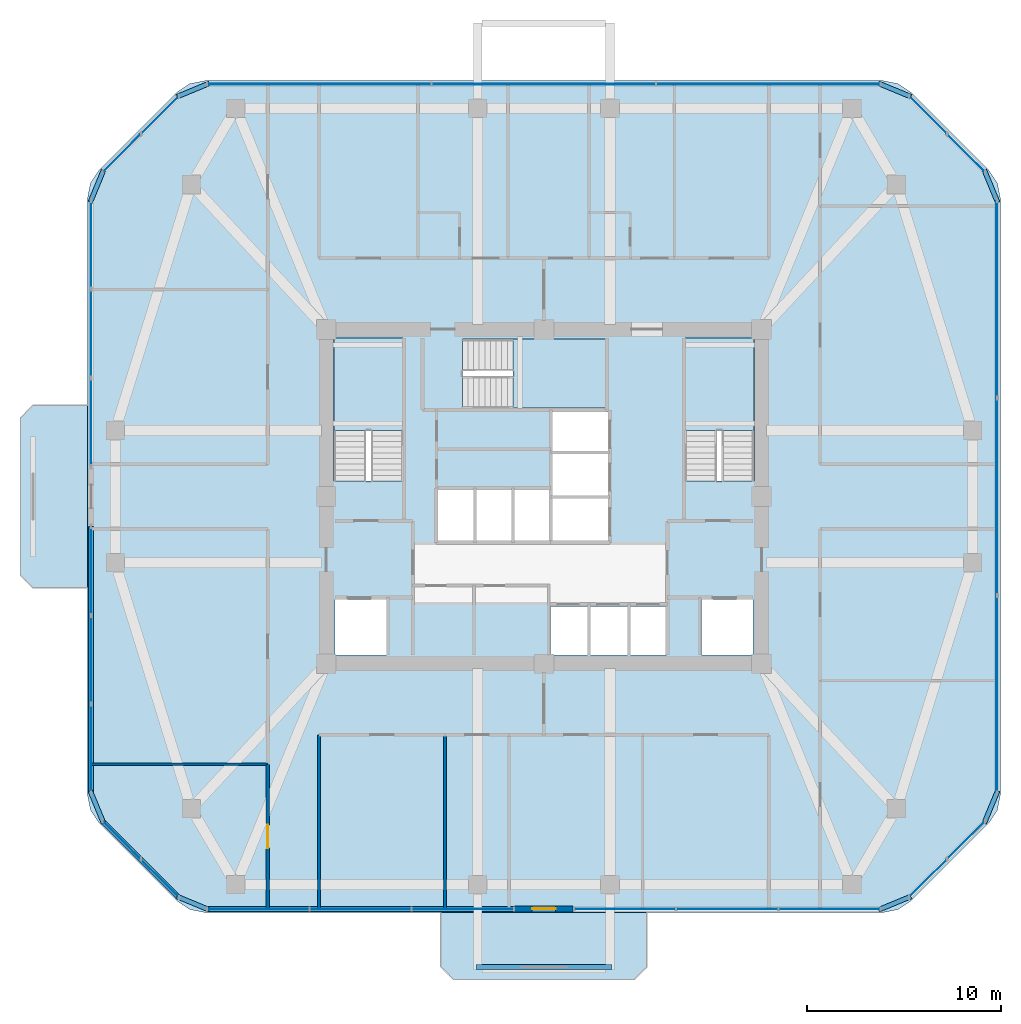
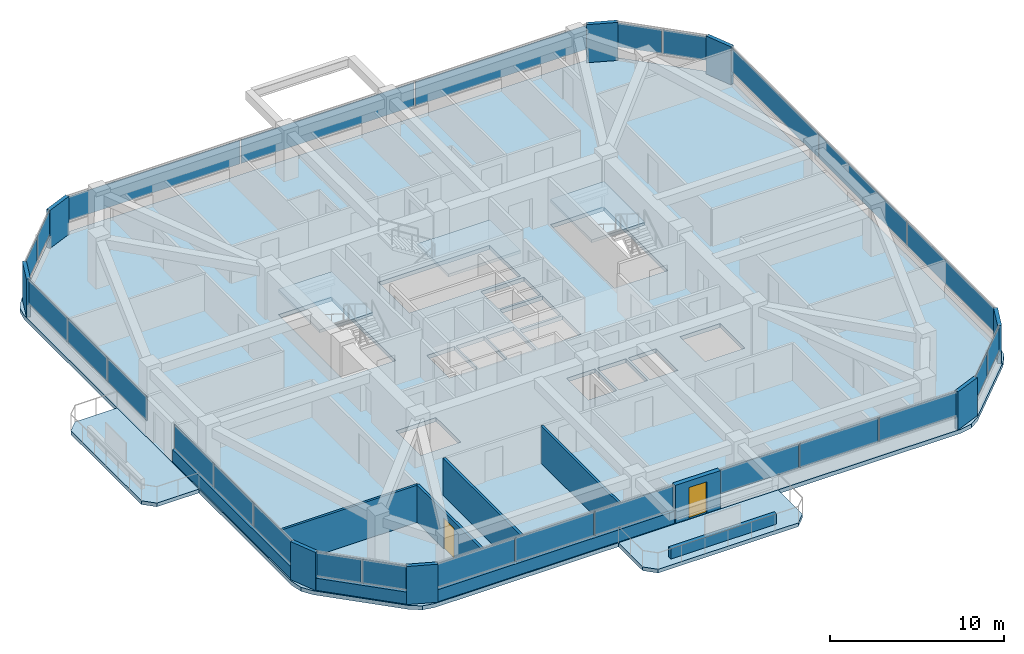
# One storey, part 6 of 12: 34 plates, 9 walls, 6 slabs, 2 doors, 2 openings, 13 elements without a shape of their own.
"""IFC4 building model written with IfcOpenShell, lengths in metres."""

from ifc_helpers import new_model, si_unit, derived_unit, direction, frame, frame_2d, origin, origin_2d, place, context, subcontext, project, spatial, polyline, rectangle, outline, extrude, material, layer, layer_set, type_object, element, fill, aggregate, save


model = new_model("IFC4")

# Units and contexts
model_context = context("Model", 3, precision=1e-05, world=origin(), true_north=direction((0.0, 1.0)))
body_context = subcontext(model_context, "Body", "Model", "MODEL_VIEW")
ifc_project = project(units=[si_unit("LENGTHUNIT", "METRE"), si_unit("AREAUNIT", "SQUARE_METRE"), si_unit("VOLUMEUNIT", "CUBIC_METRE"), si_unit("PLANEANGLEUNIT", "RADIAN"), si_unit("MASSUNIT", "GRAM", prefix="KILO"), derived_unit("THERMALTRANSMITTANCEUNIT", [(si_unit("POWERUNIT", "WATT"), 1), (si_unit("LENGTHUNIT", "METRE"), -2), (si_unit("THERMODYNAMICTEMPERATUREUNIT", "KELVIN"), -1)])], contexts=[model_context])

# Site, building, storey
site_placement = place(None, origin())
site = spatial("IfcSite", under=ifc_project, at=site_placement, CompositionType="ELEMENT")
building_placement = place(site_placement, origin())
building = spatial("IfcBuilding", under=site, at=building_placement, Name="Koralith Skygarden Medical Center", CompositionType="ELEMENT")
storey_placement = place(building_placement, frame((0.0, 0.0, 134.820068359375)))
storey = spatial("IfcBuildingStorey", under=building, at=storey_placement, Name="L34", CompositionType="ELEMENT", Elevation=134.820068359375)

# Curtain wall, plates
ifc_material_1 = material(Name="Clear Laminated Glass", Category="glass")
curtain_wall_type = type_object("IfcCurtainWallType", Name="CW-4 Zone 3 Waist High-Wind Curtain Wall", PredefinedType="NOTDEFINED", material=ifc_material_1)
curtain_wall_1_placement = place(storey_placement, origin())
curtain_wall_1 = element("IfcCurtainWall", 1, at=curtain_wall_1_placement, inside=storey, type_object=curtain_wall_type, Name="Curtain Wall CW-L34-S-L", PredefinedType="NOTDEFINED")
ifc_layer_1 = layer(ifc_material_1, 0.035888671875)
ifc_layer_set_1 = layer_set([ifc_layer_1], Name="Clear Laminated Glass")
plate_type_1 = type_object("IfcPlateType", Name="CW-4 Hurricane Laminated IGU Panel 36", PredefinedType="CURTAIN_PANEL", material=ifc_layer_set_1)
plate_1_placement = place(storey_placement, frame((22.302001953125, 4.679931640625, 0.919921875), z_axis=(0.0, 0.0, 1.0), x_axis=(1.0, 0.0, 0.0)))
plate_1 = element("IfcPlate", 2, at=plate_1_placement, type_object=plate_type_1, Name="CW-L34-S-L Glazed Panel 1", PredefinedType="CURTAIN_PANEL", context=body_context, shape_type="SweptSolid", body=[
    extrude(rectangle(XDim=5.173095703125, YDim=0.035888671875, at=origin_2d()), origin(), (0.0, 0.0, 1.0), 1.679931640625),
])
plate_2_placement = place(storey_placement, frame((27.56494140625, 4.679931640625, 0.919921875), z_axis=(0.0, 0.0, 1.0), x_axis=(1.0, 0.0, 0.0)))
plate_2 = element("IfcPlate", 3, at=plate_2_placement, type_object=plate_type_1, Name="CW-L34-S-L Glazed Panel 2", PredefinedType="CURTAIN_PANEL", context=body_context, shape_type="SweptSolid", body=[
    extrude(rectangle(XDim=5.173095703125, YDim=0.035888671875, at=origin_2d()), origin(), (0.0, 0.0, 1.0), 1.679931640625),
])
plate_3_placement = place(storey_placement, frame((32.827880859375, 4.679931640625, 0.919921875), z_axis=(0.0, 0.0, 1.0), x_axis=(1.0, 0.0, 0.0)))
plate_3 = element("IfcPlate", 4, at=plate_3_placement, type_object=plate_type_1, Name="CW-L34-S-L Glazed Panel 3", PredefinedType="CURTAIN_PANEL", context=body_context, shape_type="SweptSolid", body=[
    extrude(rectangle(XDim=5.173095703125, YDim=0.035888671875, at=origin_2d()), origin(), (0.0, 0.0, 1.0), 1.679931640625),
])
aggregate(curtain_wall_1, [plate_1, plate_2, plate_3])

curtain_wall_2_placement = place(storey_placement, origin())
curtain_wall_2 = element("IfcCurtainWall", 5, at=curtain_wall_2_placement, inside=storey, type_object=curtain_wall_type, Name="Curtain Wall CW-L34-S-R", PredefinedType="NOTDEFINED")
plate_4_placement = place(storey_placement, frame((41.1708984375, 4.679931640625, 0.919921875), z_axis=(0.0, 0.0, 1.0), x_axis=(1.0, 0.0, 0.0)))
plate_4 = element("IfcPlate", 6, at=plate_4_placement, type_object=plate_type_1, Name="CW-L34-S-R Glazed Panel 1", PredefinedType="CURTAIN_PANEL", context=body_context, shape_type="SweptSolid", body=[
    extrude(rectangle(XDim=5.173095703125, YDim=0.035888671875, at=origin_2d()), origin(), (0.0, 0.0, 1.0), 1.679931640625),
])
plate_5_placement = place(storey_placement, frame((46.43408203125, 4.679931640625, 0.919921875), z_axis=(0.0, 0.0, 1.0), x_axis=(1.0, 0.0, 0.0)))
plate_5 = element("IfcPlate", 7, at=plate_5_placement, type_object=plate_type_1, Name="CW-L34-S-R Glazed Panel 2", PredefinedType="CURTAIN_PANEL", context=body_context, shape_type="SweptSolid", body=[
    extrude(rectangle(XDim=5.173095703125, YDim=0.035888671875, at=origin_2d()), origin(), (0.0, 0.0, 1.0), 1.679931640625),
])
plate_6_placement = place(storey_placement, frame((51.697021484375, 4.679931640625, 0.919921875), z_axis=(0.0, 0.0, 1.0), x_axis=(1.0, 0.0, 0.0)))
plate_6 = element("IfcPlate", 8, at=plate_6_placement, type_object=plate_type_1, Name="CW-L34-S-R Glazed Panel 3", PredefinedType="CURTAIN_PANEL", context=body_context, shape_type="SweptSolid", body=[
    extrude(rectangle(XDim=5.173095703125, YDim=0.035888671875, at=origin_2d()), origin(), (0.0, 0.0, 1.0), 1.679931640625),
])
aggregate(curtain_wall_2, [plate_4, plate_5, plate_6])

curtain_wall_3_placement = place(storey_placement, origin())
curtain_wall_3 = element("IfcCurtainWall", 9, at=curtain_wall_3_placement, inside=storey, type_object=curtain_wall_type, Name="Curtain Wall CW-L34-SE", PredefinedType="NOTDEFINED")
plate_7_placement = place(storey_placement, frame((56.760986328125, 6.261962890625, 0.919921875), z_axis=(0.0, 0.0, 1.0), x_axis=(0.707106781187, 0.707106781187, 0.0)))
plate_7 = element("IfcPlate", 10, at=plate_7_placement, type_object=plate_type_1, Name="CW-L34-SE Glazed Panel 1", PredefinedType="CURTAIN_PANEL", context=body_context, shape_type="SweptSolid", body=[
    extrude(rectangle(XDim=2.68408203125, YDim=0.035888671875, at=origin_2d()), origin(), (0.0, 0.0, 1.0), 1.679931640625),
])
plate_8_placement = place(storey_placement, frame((58.721923828125, 8.222900390625, 0.919921875), z_axis=(0.0, 0.0, 1.0), x_axis=(0.707106781187, 0.707106781187, 0.0)))
plate_8 = element("IfcPlate", 11, at=plate_8_placement, type_object=plate_type_1, Name="CW-L34-SE Glazed Panel 2", PredefinedType="CURTAIN_PANEL", context=body_context, shape_type="SweptSolid", body=[
    extrude(rectangle(XDim=2.68408203125, YDim=0.035888671875, at=origin_2d()), origin(), (0.0, 0.0, 1.0), 1.679931640625),
])
aggregate(curtain_wall_3, [plate_7, plate_8])

curtain_wall_4_placement = place(storey_placement, origin())
curtain_wall_4 = element("IfcCurtainWall", 12, at=curtain_wall_4_placement, inside=storey, type_object=curtain_wall_type, Name="Curtain Wall CW-L34-E", PredefinedType="NOTDEFINED")
plate_9_placement = place(storey_placement, frame((60.303955078125, 15.737060546875, 0.919921875), z_axis=(0.0, 0.0, 1.0), x_axis=(0.0, 1.0, 0.0)))
plate_9 = element("IfcPlate", 13, at=plate_9_placement, type_object=plate_type_1, Name="CW-L34-E Glazed Panel 1", PredefinedType="CURTAIN_PANEL", context=body_context, shape_type="SweptSolid", body=[
    extrude(rectangle(XDim=10.072998046875, YDim=0.035888671875, at=origin_2d()), origin(), (0.0, 0.0, 1.0), 1.679931640625),
])
plate_10_placement = place(storey_placement, frame((60.303955078125, 25.89990234375, 0.919921875), z_axis=(0.0, 0.0, 1.0), x_axis=(0.0, 1.0, 0.0)))
plate_10 = element("IfcPlate", 14, at=plate_10_placement, type_object=plate_type_1, Name="CW-L34-E Glazed Panel 2", PredefinedType="CURTAIN_PANEL", context=body_context, shape_type="SweptSolid", body=[
    extrude(rectangle(XDim=10.072998046875, YDim=0.035888671875, at=origin_2d()), origin(), (0.0, 0.0, 1.0), 1.679931640625),
])
plate_11_placement = place(storey_placement, frame((60.303955078125, 36.06298828125, 0.919921875), z_axis=(0.0, 0.0, 1.0), x_axis=(0.0, 1.0, 0.0)))
plate_11 = element("IfcPlate", 15, at=plate_11_placement, type_object=plate_type_1, Name="CW-L34-E Glazed Panel 3", PredefinedType="CURTAIN_PANEL", context=body_context, shape_type="SweptSolid", body=[
    extrude(rectangle(XDim=10.072998046875, YDim=0.035888671875, at=origin_2d()), origin(), (0.0, 0.0, 1.0), 1.679931640625),
])
aggregate(curtain_wall_4, [plate_9, plate_10, plate_11])

curtain_wall_5_placement = place(storey_placement, origin())
curtain_wall_5 = element("IfcCurtainWall", 16, at=curtain_wall_5_placement, inside=storey, type_object=curtain_wall_type, Name="Curtain Wall CW-L34-NE", PredefinedType="NOTDEFINED")
plate_12_placement = place(storey_placement, frame((58.721923828125, 43.576904296875, 0.919921875), z_axis=(0.0, 0.0, 1.0), x_axis=(-0.707106781187, 0.707106781187, 0.0)))
plate_12 = element("IfcPlate", 17, at=plate_12_placement, type_object=plate_type_1, Name="CW-L34-NE Glazed Panel 1", PredefinedType="CURTAIN_PANEL", context=body_context, shape_type="SweptSolid", body=[
    extrude(rectangle(XDim=2.68408203125, YDim=0.035888671875, at=origin_2d()), origin(), (0.0, 0.0, 1.0), 1.679931640625),
])
plate_13_placement = place(storey_placement, frame((56.760986328125, 45.5380859375, 0.919921875), z_axis=(0.0, 0.0, 1.0), x_axis=(-0.707106781187, 0.707106781187, 0.0)))
plate_13 = element("IfcPlate", 18, at=plate_13_placement, type_object=plate_type_1, Name="CW-L34-NE Glazed Panel 2", PredefinedType="CURTAIN_PANEL", context=body_context, shape_type="SweptSolid", body=[
    extrude(rectangle(XDim=2.68408203125, YDim=0.035888671875, at=origin_2d()), origin(), (0.0, 0.0, 1.0), 1.679931640625),
])
aggregate(curtain_wall_5, [plate_12, plate_13])

curtain_wall_6_placement = place(storey_placement, origin())
curtain_wall_6 = element("IfcCurtainWall", 19, at=curtain_wall_6_placement, inside=storey, type_object=curtain_wall_type, Name="Curtain Wall CW-L34-N", PredefinedType="NOTDEFINED")
plate_14_placement = place(storey_placement, frame((48.552978515625, 47.1201171875, 0.919921875), z_axis=(0.0, 0.0, 1.0), x_axis=(-1.0, 0.0, 0.0)))
plate_14 = element("IfcPlate", 20, at=plate_14_placement, type_object=plate_type_1, Name="CW-L34-N Glazed Panel 1", PredefinedType="CURTAIN_PANEL", context=body_context, shape_type="SweptSolid", body=[
    extrude(rectangle(XDim=11.462890625, YDim=0.035888671875, at=origin_2d()), origin(), (0.0, 0.0, 1.0), 1.679931640625),
])
plate_15_placement = place(storey_placement, frame((37.0, 47.1201171875, 0.919921875), z_axis=(0.0, 0.0, 1.0), x_axis=(-1.0, 0.0, 0.0)))
plate_15 = element("IfcPlate", 21, at=plate_15_placement, type_object=plate_type_1, Name="CW-L34-N Glazed Panel 2", PredefinedType="CURTAIN_PANEL", context=body_context, shape_type="SweptSolid", body=[
    extrude(rectangle(XDim=11.462890625, YDim=0.035888671875, at=origin_2d()), origin(), (0.0, 0.0, 1.0), 1.679931640625),
])
plate_16_placement = place(storey_placement, frame((25.447021484375, 47.1201171875, 0.919921875), z_axis=(0.0, 0.0, 1.0), x_axis=(-1.0, 0.0, 0.0)))
plate_16 = element("IfcPlate", 22, at=plate_16_placement, type_object=plate_type_1, Name="CW-L34-N Glazed Panel 3", PredefinedType="CURTAIN_PANEL", context=body_context, shape_type="SweptSolid", body=[
    extrude(rectangle(XDim=11.462890625, YDim=0.035888671875, at=origin_2d()), origin(), (0.0, 0.0, 1.0), 1.679931640625),
])
aggregate(curtain_wall_6, [plate_14, plate_15, plate_16])

curtain_wall_7_placement = place(storey_placement, origin())
curtain_wall_7 = element("IfcCurtainWall", 23, at=curtain_wall_7_placement, inside=storey, type_object=curtain_wall_type, Name="Curtain Wall CW-L34-NW", PredefinedType="NOTDEFINED")
plate_17_placement = place(storey_placement, frame((17.239013671875, 45.5380859375, 0.919921875), z_axis=(0.0, 0.0, 1.0), x_axis=(-0.707106781187, -0.707106781187, 0.0)))
plate_17 = element("IfcPlate", 24, at=plate_17_placement, type_object=plate_type_1, Name="CW-L34-NW Glazed Panel 1", PredefinedType="CURTAIN_PANEL", context=body_context, shape_type="SweptSolid", body=[
    extrude(rectangle(XDim=2.68408203125, YDim=0.035888671875, at=origin_2d()), origin(), (0.0, 0.0, 1.0), 1.679931640625),
])
plate_18_placement = place(storey_placement, frame((15.278076171875, 43.576904296875, 0.919921875), z_axis=(0.0, 0.0, 1.0), x_axis=(-0.707106781187, -0.707106781187, 0.0)))
plate_18 = element("IfcPlate", 25, at=plate_18_placement, type_object=plate_type_1, Name="CW-L34-NW Glazed Panel 2", PredefinedType="CURTAIN_PANEL", context=body_context, shape_type="SweptSolid", body=[
    extrude(rectangle(XDim=2.68408203125, YDim=0.035888671875, at=origin_2d()), origin(), (0.0, 0.0, 1.0), 1.679931640625),
])
aggregate(curtain_wall_7, [plate_17, plate_18])

curtain_wall_8_placement = place(storey_placement, origin())
curtain_wall_8 = element("IfcCurtainWall", 26, at=curtain_wall_8_placement, inside=storey, type_object=curtain_wall_type, Name="Curtain Wall CW-L34-W-L", PredefinedType="NOTDEFINED")
plate_19_placement = place(storey_placement, frame((13.696044921875, 38.861083984375, 0.919921875), z_axis=(0.0, 0.0, 1.0), x_axis=(0.0, -1.0, 0.0)))
plate_19 = element("IfcPlate", 27, at=plate_19_placement, type_object=plate_type_1, Name="CW-L34-W-L Glazed Panel 1", PredefinedType="CURTAIN_PANEL", context=body_context, shape_type="SweptSolid", body=[
    extrude(rectangle(XDim=4.47802734375, YDim=0.035888671875, at=origin_2d()), origin(), (0.0, 0.0, 1.0), 1.679931640625),
])
plate_20_placement = place(storey_placement, frame((13.696044921875, 34.29296875, 0.919921875), z_axis=(0.0, 0.0, 1.0), x_axis=(0.0, -1.0, 0.0)))
plate_20 = element("IfcPlate", 28, at=plate_20_placement, type_object=plate_type_1, Name="CW-L34-W-L Glazed Panel 2", PredefinedType="CURTAIN_PANEL", context=body_context, shape_type="SweptSolid", body=[
    extrude(rectangle(XDim=4.47802734375, YDim=0.035888671875, at=origin_2d()), origin(), (0.0, 0.0, 1.0), 1.679931640625),
])
plate_21_placement = place(storey_placement, frame((13.696044921875, 29.72412109375, 0.919921875), z_axis=(0.0, 0.0, 1.0), x_axis=(0.0, -1.0, 0.0)))
plate_21 = element("IfcPlate", 29, at=plate_21_placement, type_object=plate_type_1, Name="CW-L34-W-L Glazed Panel 3", PredefinedType="CURTAIN_PANEL", context=body_context, shape_type="SweptSolid", body=[
    extrude(rectangle(XDim=4.47802734375, YDim=0.035888671875, at=origin_2d()), origin(), (0.0, 0.0, 1.0), 1.679931640625),
])
aggregate(curtain_wall_8, [plate_19, plate_20, plate_21])

curtain_wall_9_placement = place(storey_placement, origin())
curtain_wall_9 = element("IfcCurtainWall", 30, at=curtain_wall_9_placement, inside=storey, type_object=curtain_wall_type, Name="Curtain Wall CW-L34-W-R", PredefinedType="NOTDEFINED")
plate_22_placement = place(storey_placement, frame((13.696044921875, 22.075927734375, 0.919921875), z_axis=(0.0, 0.0, 1.0), x_axis=(0.0, -1.0, 0.0)))
plate_22 = element("IfcPlate", 31, at=plate_22_placement, type_object=plate_type_1, Name="CW-L34-W-R Glazed Panel 1", PredefinedType="CURTAIN_PANEL", context=body_context, shape_type="SweptSolid", body=[
    extrude(rectangle(XDim=4.47802734375, YDim=0.035888671875, at=origin_2d()), origin(), (0.0, 0.0, 1.0), 1.679931640625),
])
plate_23_placement = place(storey_placement, frame((13.696044921875, 17.508056640625, 0.919921875), z_axis=(0.0, 0.0, 1.0), x_axis=(0.0, -1.0, 0.0)))
plate_23 = element("IfcPlate", 32, at=plate_23_placement, type_object=plate_type_1, Name="CW-L34-W-R Glazed Panel 2", PredefinedType="CURTAIN_PANEL", context=body_context, shape_type="SweptSolid", body=[
    extrude(rectangle(XDim=4.47802734375, YDim=0.035888671875, at=origin_2d()), origin(), (0.0, 0.0, 1.0), 1.679931640625),
])
plate_24_placement = place(storey_placement, frame((13.696044921875, 12.93896484375, 0.919921875), z_axis=(0.0, 0.0, 1.0), x_axis=(0.0, -1.0, 0.0)))
plate_24 = element("IfcPlate", 33, at=plate_24_placement, type_object=plate_type_1, Name="CW-L34-W-R Glazed Panel 3", PredefinedType="CURTAIN_PANEL", context=body_context, shape_type="SweptSolid", body=[
    extrude(rectangle(XDim=4.47802734375, YDim=0.035888671875, at=origin_2d()), origin(), (0.0, 0.0, 1.0), 1.679931640625),
])
aggregate(curtain_wall_9, [plate_22, plate_23, plate_24])

curtain_wall_10_placement = place(storey_placement, origin())
curtain_wall_10 = element("IfcCurtainWall", 34, at=curtain_wall_10_placement, inside=storey, type_object=curtain_wall_type, Name="Curtain Wall CW-L34-SW", PredefinedType="NOTDEFINED")
plate_25_placement = place(storey_placement, frame((15.278076171875, 8.222900390625, 0.919921875), z_axis=(0.0, 0.0, 1.0), x_axis=(0.707106781187, -0.707106781187, 0.0)))
plate_25 = element("IfcPlate", 35, at=plate_25_placement, type_object=plate_type_1, Name="CW-L34-SW Glazed Panel 1", PredefinedType="CURTAIN_PANEL", context=body_context, shape_type="SweptSolid", body=[
    extrude(rectangle(XDim=2.68408203125, YDim=0.035888671875, at=origin_2d()), origin(), (0.0, 0.0, 1.0), 1.679931640625),
])
plate_26_placement = place(storey_placement, frame((17.239013671875, 6.261962890625, 0.919921875), z_axis=(0.0, 0.0, 1.0), x_axis=(0.707106781187, -0.707106781187, 0.0)))
plate_26 = element("IfcPlate", 36, at=plate_26_placement, type_object=plate_type_1, Name="CW-L34-SW Glazed Panel 2", PredefinedType="CURTAIN_PANEL", context=body_context, shape_type="SweptSolid", body=[
    extrude(rectangle(XDim=2.68408203125, YDim=0.035888671875, at=origin_2d()), origin(), (0.0, 0.0, 1.0), 1.679931640625),
])
aggregate(curtain_wall_10, [plate_25, plate_26])

# Slabs
ifc_material_2 = material(Name="Concrete C45/55", Category="concrete")
ifc_layer_2 = layer(ifc_material_2, 0.260009765625)
ifc_layer_set_2 = layer_set([ifc_layer_2], Name="Concrete C45/55")
slab_type_1 = type_object("IfcSlabType", Name="Cantilevered Planted Balcony Slab 260", PredefinedType="FLOOR", material=ifc_layer_set_2)
slab_1_placement = place(storey_placement, frame((0.0, 0.0, -0.260009765625)))
element("IfcSlab", 37, at=slab_1_placement, inside=storey, type_object=slab_type_1, Name="L34 S Planted Sky-Garden Balcony Slab", PredefinedType="FLOOR", context=body_context, shape_type="SweptSolid", body=[
    extrude(outline(polyline([(32.35009765625, 1.050048828125), (41.64990234375, 1.050048828125), (42.300048828125, 1.699951171875), (42.300048828125, 4.5), (31.699951171875, 4.5), (31.699951171875, 1.699951171875), (32.35009765625, 1.050048828125)])), origin(), (0.0, 0.0, 1.0), 0.260009765625),
])
slab_2_placement = place(storey_placement, frame((0.0, 0.0, -0.260009765625)))
element("IfcSlab", 38, at=slab_2_placement, inside=storey, type_object=slab_type_1, Name="L34 W Planted Sky-Garden Balcony Slab", PredefinedType="FLOOR", context=body_context, shape_type="SweptSolid", body=[
    extrude(outline(polyline([(10.716064453125, 21.199951171875), (13.51611328125, 21.199951171875), (13.51611328125, 30.60009765625), (10.716064453125, 30.60009765625), (10.06591796875, 29.949951171875), (10.06591796875, 21.85009765625), (10.716064453125, 21.199951171875)])), origin(), (0.0, 0.0, 1.0), 0.260009765625),
])

# Stair, slab
stair_type = type_object("IfcStairType", Name="Core Exit Dogleg Concrete Stair", PredefinedType="HALF_TURN_STAIR", material=ifc_material_2)
stair_1_placement = place(storey_placement, origin())
stair_1 = element("IfcStair", 39, at=stair_1_placement, inside=storey, type_object=stair_type, Name="L34 Smokeproof Exit Stair ST1", PredefinedType="HALF_TURN_STAIR")
ifc_layer_3 = layer(ifc_material_2, 0.199951171875)
ifc_layer_set_3 = layer_set([ifc_layer_3], Name="Concrete C45/55")
slab_type_2 = type_object("IfcSlabType", Name="Core Exit Concrete Stair Landing 200", PredefinedType="LANDING", material=ifc_layer_set_3)
slab_3_placement = place(storey_placement, frame((0.0, 0.0, 1.599853515625)))
slab_3 = element("IfcSlab", 40, at=slab_3_placement, type_object=slab_type_2, Name="ST1 landing 1", PredefinedType="LANDING", context=body_context, shape_type="SweptSolid", body=[
    extrude(outline(polyline([(29.75, 29.31005859375), (29.75, 34.050048828125), (26.199951171875, 34.050048828125), (26.199951171875, 29.31005859375), (29.75, 29.31005859375)])), origin(), (0.0, 0.0, 1.0), 0.2001953125),
])
aggregate(stair_1, [slab_3])

stair_2_placement = place(storey_placement, origin())
stair_2 = element("IfcStair", 41, at=stair_2_placement, inside=storey, type_object=stair_type, Name="L34 Smokeproof Exit Stair ST2", PredefinedType="HALF_TURN_STAIR")
slab_4_placement = place(storey_placement, frame((0.0, 0.0, 1.599853515625)))
slab_4 = element("IfcSlab", 42, at=slab_4_placement, type_object=slab_type_2, Name="ST2 landing 1", PredefinedType="LANDING", context=body_context, shape_type="SweptSolid", body=[
    extrude(outline(polyline([(47.800048828125, 29.31005859375), (47.800048828125, 34.050048828125), (44.25, 34.050048828125), (44.25, 29.31005859375), (47.800048828125, 29.31005859375)])), origin(), (0.0, 0.0, 1.0), 0.2001953125),
])
aggregate(stair_2, [slab_4])

stair_3_placement = place(storey_placement, origin())
stair_3 = element("IfcStair", 43, at=stair_3_placement, inside=storey, type_object=stair_type, Name="L34 Smokeproof Exit Stair ST3", PredefinedType="HALF_TURN_STAIR")
slab_5_placement = place(storey_placement, frame((0.0, 0.0, 1.599853515625)))
slab_5 = element("IfcSlab", 44, at=slab_5_placement, type_object=slab_type_2, Name="ST3 landing 1", PredefinedType="LANDING", context=body_context, shape_type="SweptSolid", body=[
    extrude(outline(polyline([(35.409912109375, 30.449951171875), (40.199951171875, 30.449951171875), (40.199951171875, 34.0), (35.409912109375, 34.0), (35.409912109375, 30.449951171875)])), origin(), (0.0, 0.0, 1.0), 0.2001953125),
])
aggregate(stair_3, [slab_5])

# Slab
ifc_layer_4 = layer(ifc_material_2, 0.280029296875)
ifc_layer_set_4 = layer_set([ifc_layer_4], Name="Concrete C45/55")
slab_type_3 = type_object("IfcSlabType", Name="Post-Tensioned Ward Floor Plate 280", PredefinedType="FLOOR", material=ifc_layer_set_4)
slab_6_placement = place(storey_placement, frame((0.0, 0.0, -0.280029296875)))
element("IfcSlab", 45, at=slab_6_placement, inside=storey, type_object=slab_type_3, Name="Level L34 Structural Floor Slab", PredefinedType="FLOOR", context=body_context, shape_type="SweptSolid", body=[
    extrude(outline(polyline([(18.1298828125, 5.0859375), (18.779052734375, 4.652099609375), (19.5439453125, 4.5), (54.4560546875, 4.5), (55.220947265625, 4.652099609375), (55.8701171875, 5.0859375), (59.89794921875, 9.114013671875), (60.33203125, 9.762939453125), (60.48388671875, 10.528076171875), (60.48388671875, 41.27197265625), (60.33203125, 42.037109375), (59.89794921875, 42.68603515625), (55.8701171875, 46.714111328125), (55.220947265625, 47.14794921875), (54.4560546875, 47.300048828125), (19.5439453125, 47.300048828125), (18.779052734375, 47.14794921875), (18.1298828125, 46.714111328125), (14.10205078125, 42.68603515625), (13.66796875, 42.037109375), (13.51611328125, 41.27197265625), (13.51611328125, 10.528076171875), (13.66796875, 9.762939453125), (14.10205078125, 9.114013671875), (18.1298828125, 5.0859375)]), holes=[polyline([(26.199951171875, 26.705078125), (29.75, 26.705078125), (29.75, 34.050048828125), (26.199951171875, 34.050048828125), (26.199951171875, 26.705078125)]), polyline([(44.25, 26.705078125), (47.800048828125, 26.705078125), (47.800048828125, 34.050048828125), (44.25, 34.050048828125), (44.25, 26.705078125)]), polyline([(32.804931640625, 30.449951171875), (40.199951171875, 30.449951171875), (40.199951171875, 34.0), (32.804931640625, 34.0), (32.804931640625, 30.449951171875)]), polyline([(26.25, 17.75), (28.89990234375, 17.75), (28.89990234375, 20.60009765625), (26.25, 20.60009765625), (26.25, 17.75)]), polyline([(45.10009765625, 17.75), (47.75, 17.75), (47.75, 20.60009765625), (45.10009765625, 20.60009765625), (45.10009765625, 17.75)]), polyline([(37.35009765625, 17.75), (39.25, 17.75), (39.25, 20.25), (37.35009765625, 20.25), (37.35009765625, 17.75)]), polyline([(39.39990234375, 17.75), (41.300048828125, 17.75), (41.300048828125, 20.25), (39.39990234375, 20.25), (39.39990234375, 17.75)]), polyline([(41.449951171875, 17.75), (43.300048828125, 17.75), (43.300048828125, 20.25), (41.449951171875, 20.25), (41.449951171875, 17.75)]), polyline([(31.550048828125, 23.64990234375), (33.39990234375, 23.64990234375), (33.39990234375, 26.25), (31.550048828125, 26.25), (31.550048828125, 23.64990234375)]), polyline([(33.5, 23.64990234375), (35.35009765625, 23.64990234375), (35.35009765625, 26.25), (33.5, 26.25), (33.5, 23.64990234375)]), polyline([(35.449951171875, 23.64990234375), (37.300048828125, 23.64990234375), (37.300048828125, 26.25), (35.449951171875, 26.25), (35.449951171875, 23.64990234375)]), polyline([(37.449951171875, 23.64990234375), (40.300048828125, 23.64990234375), (40.300048828125, 25.800048828125), (37.449951171875, 25.800048828125), (37.449951171875, 23.64990234375)]), polyline([(37.449951171875, 25.949951171875), (40.300048828125, 25.949951171875), (40.300048828125, 28.10009765625), (37.449951171875, 28.10009765625), (37.449951171875, 25.949951171875)]), polyline([(37.449951171875, 28.25), (40.300048828125, 28.25), (40.300048828125, 30.25), (37.449951171875, 30.25), (37.449951171875, 28.25)])]), origin(), (0.0, 0.0, 1.0), 0.280029296875),
])

# Plates
ifc_material_3 = material(Name="Warm Oolitic Limestone Cladding", Category="masonry")
ifc_layer_5 = layer(ifc_material_3, 0.239990234375)
ifc_layer_set_5 = layer_set([ifc_layer_5], Name="Warm Oolitic Limestone Cladding")
plate_type_2 = type_object("IfcPlateType", Name="Rounded-Corner Oolitic Limestone Cladding Panel 240", PredefinedType="USERDEFINED", material=ifc_layer_set_5)
for number, where, z_axis, x_axis, name in (
    (46, (55.054931640625, 4.97998046875, 0.0), (0.0, 0.0, 1.0), (0.92388487569, 0.382670532536, 0.0), "L34 Rounded-Corner Limestone Pier 1"),
    (47, (60.00390625, 9.929931640625, 0.0), (0.0, 0.0, 1.0), (0.382670532536, 0.92388487569, 0.0), "L34 Rounded-Corner Limestone Pier 2"),
    (48, (60.00390625, 41.8701171875, 0.0), (0.0, 0.0, 1.0), (-0.382670532536, 0.92388487569, 0.0), "L34 Rounded-Corner Limestone Pier 3"),
    (49, (55.054931640625, 46.819091796875, 0.0), (0.0, 0.0, 1.0), (-0.92388487569, 0.382670532536, 0.0), "L34 Rounded-Corner Limestone Pier 4"),
    (50, (18.945068359375, 46.819091796875, 0.0), (0.0, 0.0, 1.0), (-0.92388487569, -0.382670532536, 0.0), "L34 Rounded-Corner Limestone Pier 5"),
    (51, (13.9970703125, 41.8701171875, 0.0), (0.0, 0.0, 1.0), (-0.382670532536, -0.92388487569, 0.0), "L34 Rounded-Corner Limestone Pier 6"),
    (52, (13.9970703125, 9.929931640625, 0.0), (0.0, 0.0, 1.0), (0.382670532536, -0.92388487569, 0.0), "L34 Rounded-Corner Limestone Pier 7"),
    (53, (18.945068359375, 4.97998046875, 0.0), (0.0, 0.0, 1.0), (0.92388487569, -0.382670532536, 0.0), "L34 Rounded-Corner Limestone Pier 8"),
):
    element("IfcPlate", number, at=place(storey_placement, frame(where, z_axis=z_axis, x_axis=x_axis)), inside=storey, type_object=plate_type_2, Name=name, ObjectType="LIMESTONE CLADDING", PredefinedType="USERDEFINED", context=body_context, shape_type="SweptSolid", body=[
        extrude(rectangle(XDim=1.81103515625, YDim=0.239990234375, at=origin_2d()), origin(), (0.0, 0.0, 1.0), 2.669921875),
    ])

# Walls
ifc_material_4 = material(Name="Gypsum Board Partition")
ifc_layer_6 = layer(ifc_material_4, 0.14990234375)
ifc_layer_set_6 = layer_set([ifc_layer_6], Name="Gypsum Board Partition")
wall_type_1 = type_object("IfcWallType", Name="Clinical Acoustic Partition 150", PredefinedType="PARTITIONING", material=ifc_layer_set_6)
wall_1_placement = place(storey_placement, frame((31.9140625, 13.639892578125, 0.0), z_axis=(0.0, 0.0, 1.0), x_axis=(0.0, -1.0, 0.0)))
element("IfcWall", 54, at=wall_1_placement, inside=storey, type_object=wall_type_1, Name="L34 Clinical Acoustic Partition 150 W-PART-L34-S-01", PredefinedType="PARTITIONING", context=body_context, shape_type="SweptSolid", body=[
    extrude(rectangle(XDim=8.93994140625, YDim=0.14990234375, at=frame_2d((4.469970703125, 0.0))), origin(), (0.0, 0.0, 1.0), 2.60986328125),
])
wall_2_placement = place(storey_placement, frame((22.7900390625, 12.125, 0.0), z_axis=(0.0, 0.0, 1.0), x_axis=(-1.0, 0.0, 0.0)))
element("IfcWall", 55, at=wall_2_placement, inside=storey, type_object=wall_type_1, Name="L34 Clinical Acoustic Partition 150 W-PART-L34-WS-01", PredefinedType="PARTITIONING", context=body_context, shape_type="SweptSolid", body=[
    extrude(rectangle(XDim=9.073974609375, YDim=0.14990234375, at=frame_2d((4.537109375, 0.0))), origin(), (0.0, 0.0, 1.0), 2.60986328125),
])
ifc_layer_7 = layer(ifc_material_4, 0.1650390625)
ifc_layer_set_7 = layer_set([ifc_layer_7], Name="Gypsum Board Partition")
wall_type_2 = type_object("IfcWallType", Name="Clinical Corridor Partition 165", PredefinedType="PARTITIONING", material=ifc_layer_set_7)
wall_3_placement = place(storey_placement, frame((25.429931640625, 4.699951171875, 0.0), z_axis=(0.0, 0.0, 1.0), x_axis=(0.0, 1.0, 0.0)))
element("IfcWall", 56, at=wall_3_placement, inside=storey, type_object=wall_type_2, Name="L34 Clinical Corridor Partition 165 W-HCOR-L34-SW", PredefinedType="PARTITIONING", context=body_context, shape_type="SweptSolid", body=[
    extrude(rectangle(XDim=8.93994140625, YDim=0.1650390625, at=frame_2d((4.469970703125, 0.0))), origin(), (0.0, 0.0, 1.0), 2.60986328125),
])

# Wall, opening, door
wall_4_placement = place(storey_placement, frame((22.7900390625, 4.699951171875, 0.0), z_axis=(0.0, 0.0, 1.0), x_axis=(0.0, 1.0, 0.0)))
wall_4 = element("IfcWall", 57, at=wall_4_placement, inside=storey, type_object=wall_type_2, Name="L34 Clinical Corridor Partition 165 W-CORR-L34-WS-01", PredefinedType="PARTITIONING", context=body_context, shape_type="SweptSolid", body=[
    extrude(rectangle(XDim=7.425048828125, YDim=0.1650390625, at=frame_2d((3.71240234375, 0.0))), origin(), (0.0, 0.0, 1.0), 2.60986328125),
])
opening_1_placement = place(wall_4_placement, frame((3.112060546875, 0.0, 0.0)))
opening_1 = element("IfcOpeningElement", 58, at=opening_1_placement, cuts=wall_4, Name="Opening D-CLN", PredefinedType="OPENING", context=body_context, shape_type="SweptSolid", body=[
    extrude(rectangle(XDim=1.199951171875, YDim=2.14990234375, at=frame_2d((0.60009765625, 1.074951171875))), frame((0.0, 0.092529296875, 0.0), z_axis=(0.0, -1.0, 0.0), x_axis=(1.0, 0.0, 0.0)), (0.0, 0.0, 1.0), 0.18505859375),
])
ifc_material_5 = material(Name="Aluminium 6063-T6", Category="aluminium")
door_type_1 = type_object("IfcDoorType", Name="Clinical Corridor Door D-CLN 1200", OperationType="NOTDEFINED", PredefinedType="DOOR", material=ifc_material_5)
door_1_placement = place(opening_1_placement, frame((1.199951171875, 0.0, 0.0), z_axis=(0.0, 0.0, 1.0), x_axis=(-1.0, 0.0, 0.0)))
door_1 = element("IfcDoor", 59, at=door_1_placement, inside=storey, type_object=door_type_1, Name="L34 Acute Nurse Station 10 Door", OperationType="SINGLE_SWING_LEFT", OverallHeight=2.14990234375, OverallWidth=1.199951171875, PredefinedType="DOOR", context=body_context, shape_type="SweptSolid", body=[
    extrude(rectangle(XDim=1.199951171875, YDim=2.14990234375, at=frame_2d((0.60009765625, 1.074951171875))), frame((0.0, 0.02490234375, 0.0), z_axis=(0.0, -1.0, 0.0), x_axis=(1.0, 0.0, 0.0)), (0.0, 0.0, 1.0), 0.050048828125),
])
fill(opening_1, door_1)

# Walls
ifc_layer_8 = layer(ifc_material_3, 0.239990234375)
ifc_layer_set_8 = layer_set([ifc_layer_8], Name="Warm Oolitic Limestone Cladding")
wall_type_3 = type_object("IfcWallType", Name="Limestone Spandrel Sill Backup Wall 240", PredefinedType="SOLIDWALL", material=ifc_layer_set_8)
wall_5_placement = place(storey_placement, frame((19.6708984375, 4.679931640625, 0.0), z_axis=(0.0, 0.0, 1.0), x_axis=(1.0, 0.0, 0.0)))
element("IfcWall", 60, at=wall_5_placement, inside=storey, type_object=wall_type_3, Name="L34 Sill Spandrel S-L", PredefinedType="SOLIDWALL", context=body_context, shape_type="SweptSolid", body=[
    extrude(rectangle(XDim=15.7880859375, YDim=0.239990234375, at=frame_2d((7.89404296875, 0.0))), origin(), (0.0, 0.0, 1.0), 0.849853515625),
])
wall_6_placement = place(storey_placement, frame((13.696044921875, 24.360107421875, 0.0), z_axis=(0.0, 0.0, 1.0), x_axis=(0.0, -1.0, 0.0)))
element("IfcWall", 61, at=wall_6_placement, inside=storey, type_object=wall_type_3, Name="L34 Sill Spandrel W-R", PredefinedType="SOLIDWALL", context=body_context, shape_type="SweptSolid", body=[
    extrude(rectangle(XDim=13.705078125, YDim=0.239990234375, at=frame_2d((6.8525390625, 0.0))), origin(), (0.0, 0.0, 1.0), 0.849853515625),
])
wall_7_placement = place(storey_placement, frame((14.297119140625, 9.2041015625, 0.0), z_axis=(0.0, 0.0, 1.0), x_axis=(0.707084777957, -0.707128783731, 0.0)))
element("IfcWall", 62, at=wall_7_placement, inside=storey, type_object=wall_type_3, Name="L34 Sill Spandrel SW", PredefinedType="SOLIDWALL", context=body_context, shape_type="SweptSolid", body=[
    extrude(rectangle(XDim=5.5478515625, YDim=0.239990234375, at=frame_2d((2.77392578125, 0.0))), origin(), (0.0, 0.0, 1.0), 0.849853515625),
])

# Wall, opening, door
ifc_layer_9 = layer(ifc_material_3, 0.300048828125)
ifc_layer_set_9 = layer_set([ifc_layer_9], Name="Warm Oolitic Limestone Cladding")
wall_type_4 = type_object("IfcWallType", Name="Oolitic Limestone Insulated Facade Wall 300", PredefinedType="SOLIDWALL", material=ifc_layer_set_9)
wall_8_placement = place(storey_placement, frame((35.4990234375, 4.679931640625, 0.0), z_axis=(0.0, 0.0, 1.0), x_axis=(1.0, 0.0, 0.0)))
wall_8 = element("IfcWall", 63, at=wall_8_placement, inside=storey, type_object=wall_type_4, Name="L34 Terrace Portal Wall S", PredefinedType="SOLIDWALL", context=body_context, shape_type="SweptSolid", body=[
    extrude(rectangle(XDim=3.0, YDim=0.300048828125, at=frame_2d((1.5, 0.0))), origin(), (0.0, 0.0, 1.0), 2.669921875),
])
opening_2_placement = place(wall_8_placement, frame((0.89990234375, 0.0, 0.0)))
opening_2 = element("IfcOpeningElement", 64, at=opening_2_placement, cuts=wall_8, Name="Opening D-BAL", PredefinedType="OPENING", context=body_context, shape_type="SweptSolid", body=[
    extrude(rectangle(XDim=1.199951171875, YDim=2.199951171875, at=frame_2d((0.60009765625, 1.10009765625))), frame((0.0, 0.159912109375, 0.0), z_axis=(0.0, -1.0, 0.0), x_axis=(1.0, 0.0, 0.0)), (0.0, 0.0, 1.0), 0.320068359375),
])
door_type_2 = type_object("IfcDoorType", Name="Planted Balcony Glazed Terrace Door D-BAL 1200", OperationType="NOTDEFINED", PredefinedType="DOOR", material=ifc_material_5)
door_2_placement = place(opening_2_placement, origin())
door_2 = element("IfcDoor", 65, at=door_2_placement, inside=storey, type_object=door_type_2, Name="L34 S Outdoor Terrace Access Door", OperationType="SINGLE_SWING_LEFT", OverallHeight=2.199951171875, OverallWidth=1.199951171875, PredefinedType="DOOR", context=body_context, shape_type="SweptSolid", body=[
    extrude(rectangle(XDim=1.199951171875, YDim=2.199951171875, at=frame_2d((0.60009765625, 1.10009765625))), frame((0.0, 0.02490234375, 0.0), z_axis=(0.0, -1.0, 0.0), x_axis=(1.0, 0.0, 0.0)), (0.0, 0.0, 1.0), 0.050048828125),
])
fill(opening_2, door_2)

# Wall
ifc_material_6 = material(Name="Precast concrete C40/50", Category="concrete")
ifc_layer_10 = layer(ifc_material_6, 0.25)
ifc_layer_set_10 = layer_set([ifc_layer_10], Name="Precast concrete C40/50")
wall_type_5 = type_object("IfcWallType", Name="Structural Concrete Balcony Planter Kerb 250", PredefinedType="PARAPET", material=ifc_layer_set_10)
wall_9_placement = place(storey_placement, frame((33.5, 1.699951171875, 0.0), z_axis=(0.0, 0.0, 1.0), x_axis=(1.0, 0.0, 0.0)))
element("IfcWall", 66, at=wall_9_placement, inside=storey, type_object=wall_type_5, Name="L34 S Structural Tree PLANTER Box", PredefinedType="PARAPET", context=body_context, shape_type="SweptSolid", body=[
    extrude(rectangle(XDim=7.0, YDim=0.25, at=frame_2d((3.5, 0.0))), origin(), (0.0, 0.0, 1.0), 0.719970703125),
])

save(model, "model.ifc")
